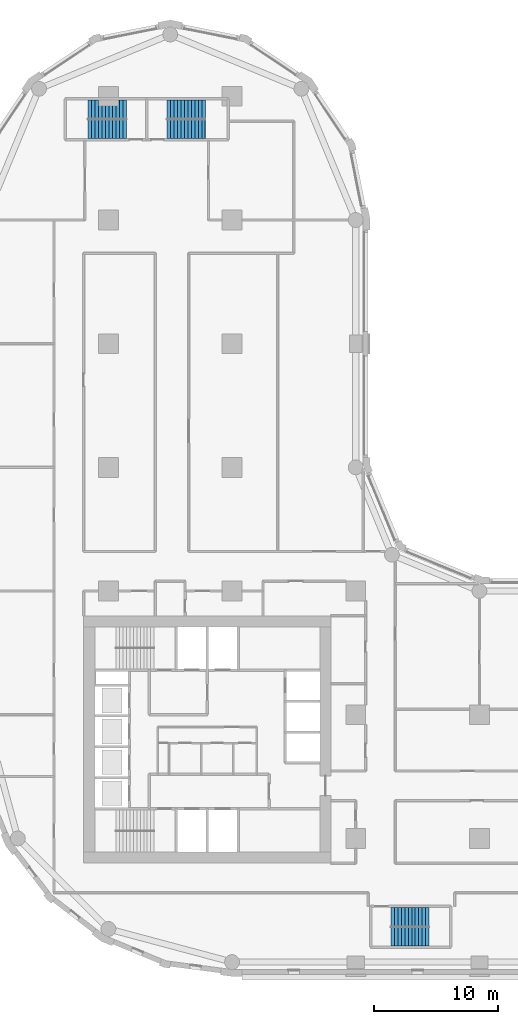
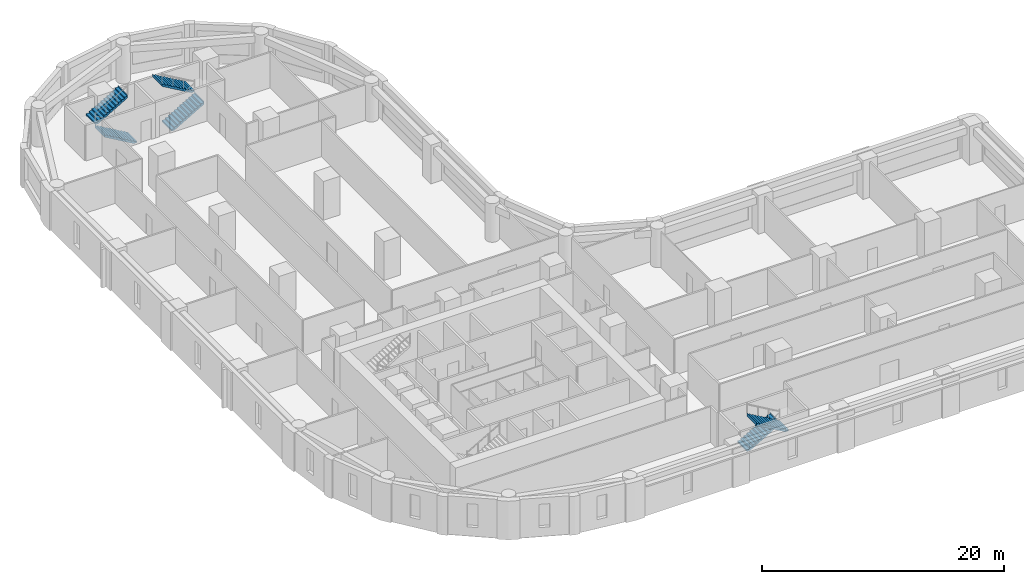
# One storey, part 8 of 10: 6 stair flights, 3 elements without a shape of their own.
"""IFC4 building model written with IfcOpenShell, lengths in metres."""

from ifc_helpers import new_model, si_unit, direction, frame, origin, place, context, subcontext, project, spatial, polyline, outline, extrude, material, type_object, element, aggregate, save


model = new_model("IFC4")

# Units and contexts
model_context = context("Model", 3, precision=1e-05, world=origin(), true_north=direction((0.0, 1.0)))
body_context = subcontext(model_context, "Body", "Model", "MODEL_VIEW")
ifc_project = project(units=[si_unit("LENGTHUNIT", "METRE"), si_unit("AREAUNIT", "SQUARE_METRE"), si_unit("VOLUMEUNIT", "CUBIC_METRE"), si_unit("PLANEANGLEUNIT", "RADIAN"), si_unit("MASSUNIT", "GRAM", prefix="KILO")], contexts=[model_context])

# Site, building, storey
site_placement = place(None, origin())
site = spatial("IfcSite", under=ifc_project, at=site_placement, CompositionType="ELEMENT")
building_placement = place(site_placement, origin())
building = spatial("IfcBuilding", under=site, at=building_placement, Name="Qaws Garden Tower", CompositionType="ELEMENT")
storey_placement = place(building_placement, frame((0.0, 0.0, 70.5)))
storey = spatial("IfcBuildingStorey", under=building, at=storey_placement, Name="L17", CompositionType="ELEMENT", Elevation=70.5)

# Stair, stair flights
ifc_material_1 = material(Name="Concrete C40", Category="concrete")
stair_type = type_object("IfcStairType", Name="Exit stair 1350", PredefinedType="HALF_TURN_STAIR", material=ifc_material_1)
placement = place(storey_placement, origin())
stair_1 = element("IfcStair", 1, at=placement, inside=storey, type_object=stair_type, Name="Stair 5", PredefinedType="HALF_TURN_STAIR")
ifc_material_2 = material(Name="Concrete C40", Category="concrete")
stair_flight_type = type_object("IfcStairFlightType", Name="Stair flight 1350", PredefinedType="STRAIGHT", material=ifc_material_2)
stair_flight_1_placement = place(storey_placement, frame((32.85009765625, 3.625, 0.0), z_axis=(0.0, 0.0, 1.0), x_axis=(1.0, 0.0, 0.0)))
stair_flight_1 = element("IfcStairFlight", 2, at=stair_flight_1_placement, type_object=stair_flight_type, Name="ST5 flight 1", NumberOfRisers=12, NumberOfTreads=11, PredefinedType="STRAIGHT", RiserHeight=0.1625, TreadLength=0.28, context=body_context, shape_type="SweptSolid", body=[
    extrude(outline(polyline([(-0.0029296875, 0.0), (-0.0029296875, 0.16259765625), (0.0, 0.16259765625), (0.280029296875, 0.16259765625), (0.280029296875, 0.324951171875), (0.56005859375, 0.324951171875), (0.56005859375, 0.487548828125), (0.840087890625, 0.487548828125), (0.840087890625, 0.64990234375), (1.1201171875, 0.64990234375), (1.1201171875, 0.8125), (1.39990234375, 0.8125), (1.39990234375, 0.97509765625), (1.679931640625, 0.97509765625), (1.679931640625, 1.137451171875), (1.9599609375, 1.137451171875), (1.9599609375, 1.300048828125), (2.239990234375, 1.300048828125), (2.239990234375, 1.46240234375), (2.52001953125, 1.46240234375), (2.52001953125, 1.625), (2.800048828125, 1.625), (2.800048828125, 1.78759765625), (3.080078125, 1.78759765625), (3.080078125, 1.949951171875), (3.0830078125, 1.949951171875), (3.0830078125, 1.6142578125), (3.080078125, 1.6142578125), (0.298583984375, 0.0), (-0.0029296875, 0.0)])), frame((0.0, 0.77490234375, 0.0), z_axis=(0.0, -1.0, 0.0), x_axis=(1.0, 0.0, 0.0)), (0.0, 0.0, 1.0), 1.550048828125),
])
stair_flight_2_placement = place(storey_placement, frame((35.929931640625, 2.074951171875, 1.949951171875), z_axis=(0.0, 0.0, 1.0), x_axis=(-1.0, 0.0, 0.0)))
stair_flight_2 = element("IfcStairFlight", 3, at=stair_flight_2_placement, type_object=stair_flight_type, Name="ST5 flight 2", NumberOfRisers=12, NumberOfTreads=11, PredefinedType="STRAIGHT", RiserHeight=0.1625, TreadLength=0.28, context=body_context, shape_type="SweptSolid", body=[
    extrude(outline(polyline([(-0.0029296875, 0.0), (-0.0029296875, 0.16259765625), (0.0, 0.16259765625), (0.280029296875, 0.16259765625), (0.280029296875, 0.324951171875), (0.56005859375, 0.324951171875), (0.56005859375, 0.487548828125), (0.840087890625, 0.487548828125), (0.840087890625, 0.64990234375), (1.1201171875, 0.64990234375), (1.1201171875, 0.8125), (1.39990234375, 0.8125), (1.39990234375, 0.97509765625), (1.679931640625, 0.97509765625), (1.679931640625, 1.137451171875), (1.9599609375, 1.137451171875), (1.9599609375, 1.300048828125), (2.239990234375, 1.300048828125), (2.239990234375, 1.46240234375), (2.52001953125, 1.46240234375), (2.52001953125, 1.625), (2.800048828125, 1.625), (2.800048828125, 1.78759765625), (3.080078125, 1.78759765625), (3.080078125, 1.949951171875), (3.0830078125, 1.949951171875), (3.0830078125, 1.6142578125), (3.080078125, 1.6142578125), (0.298583984375, 0.0), (-0.0029296875, 0.0)])), frame((0.0, 0.77490234375, 0.0), z_axis=(0.0, -1.0, 0.0), x_axis=(1.0, 0.0, 0.0)), (0.0, 0.0, 1.0), 1.550048828125),
])
aggregate(stair_1, [stair_flight_1, stair_flight_2])

stair_2 = element("IfcStair", 4, at=placement, inside=storey, type_object=stair_type, Name="Stair 6", PredefinedType="HALF_TURN_STAIR")
stair_flight_3_placement = place(storey_placement, frame((11.449951171875, 67.375, 0.0), z_axis=(0.0, 0.0, 1.0), x_axis=(-1.0, 0.0, 0.0)))
stair_flight_3 = element("IfcStairFlight", 5, at=stair_flight_3_placement, type_object=stair_flight_type, Name="ST6 flight 1", NumberOfRisers=12, NumberOfTreads=11, PredefinedType="STRAIGHT", RiserHeight=0.1625, TreadLength=0.28, context=body_context, shape_type="SweptSolid", body=[
    extrude(outline(polyline([(-0.0029296875, 0.0), (-0.0029296875, 0.16259765625), (0.0, 0.16259765625), (0.280029296875, 0.16259765625), (0.280029296875, 0.324951171875), (0.56005859375, 0.324951171875), (0.56005859375, 0.487548828125), (0.840087890625, 0.487548828125), (0.840087890625, 0.64990234375), (1.1201171875, 0.64990234375), (1.1201171875, 0.8125), (1.39990234375, 0.8125), (1.39990234375, 0.97509765625), (1.679931640625, 0.97509765625), (1.679931640625, 1.137451171875), (1.9599609375, 1.137451171875), (1.9599609375, 1.300048828125), (2.239990234375, 1.300048828125), (2.239990234375, 1.46240234375), (2.52001953125, 1.46240234375), (2.52001953125, 1.625), (2.800048828125, 1.625), (2.800048828125, 1.78759765625), (3.080078125, 1.78759765625), (3.080078125, 1.949951171875), (3.0830078125, 1.949951171875), (3.0830078125, 1.6142578125), (3.080078125, 1.6142578125), (0.298583984375, 0.0), (-0.0029296875, 0.0)])), frame((0.0, 0.77490234375, 0.0), z_axis=(0.0, -1.0, 0.0), x_axis=(1.0, 0.0, 0.0)), (0.0, 0.0, 1.0), 1.550048828125),
])
stair_flight_4_placement = place(storey_placement, frame((8.3701171875, 68.925048828125, 1.949951171875), z_axis=(0.0, 0.0, 1.0), x_axis=(1.0, 0.0, 0.0)))
stair_flight_4 = element("IfcStairFlight", 6, at=stair_flight_4_placement, type_object=stair_flight_type, Name="ST6 flight 2", NumberOfRisers=12, NumberOfTreads=11, PredefinedType="STRAIGHT", RiserHeight=0.1625, TreadLength=0.28, context=body_context, shape_type="SweptSolid", body=[
    extrude(outline(polyline([(-0.0029296875, 0.0), (-0.0029296875, 0.16259765625), (0.0, 0.16259765625), (0.280029296875, 0.16259765625), (0.280029296875, 0.324951171875), (0.56005859375, 0.324951171875), (0.56005859375, 0.487548828125), (0.840087890625, 0.487548828125), (0.840087890625, 0.64990234375), (1.1201171875, 0.64990234375), (1.1201171875, 0.8125), (1.39990234375, 0.8125), (1.39990234375, 0.97509765625), (1.679931640625, 0.97509765625), (1.679931640625, 1.137451171875), (1.9599609375, 1.137451171875), (1.9599609375, 1.300048828125), (2.239990234375, 1.300048828125), (2.239990234375, 1.46240234375), (2.52001953125, 1.46240234375), (2.52001953125, 1.625), (2.800048828125, 1.625), (2.800048828125, 1.78759765625), (3.080078125, 1.78759765625), (3.080078125, 1.949951171875), (3.0830078125, 1.949951171875), (3.0830078125, 1.6142578125), (3.080078125, 1.6142578125), (0.298583984375, 0.0), (-0.0029296875, 0.0)])), frame((0.0, 0.77490234375, 0.0), z_axis=(0.0, -1.0, 0.0), x_axis=(1.0, 0.0, 0.0)), (0.0, 0.0, 1.0), 1.550048828125),
])
aggregate(stair_2, [stair_flight_3, stair_flight_4])

stair_3 = element("IfcStair", 7, at=placement, inside=storey, type_object=stair_type, Name="Stair 7", PredefinedType="HALF_TURN_STAIR")
stair_flight_5_placement = place(storey_placement, frame((14.75, 67.375, 0.0), z_axis=(0.0, 0.0, 1.0), x_axis=(1.0, 0.0, 0.0)))
stair_flight_5 = element("IfcStairFlight", 8, at=stair_flight_5_placement, type_object=stair_flight_type, Name="ST7 flight 1", NumberOfRisers=12, NumberOfTreads=11, PredefinedType="STRAIGHT", RiserHeight=0.1625, TreadLength=0.28, context=body_context, shape_type="SweptSolid", body=[
    extrude(outline(polyline([(-0.0029296875, 0.0), (-0.0029296875, 0.16259765625), (0.0, 0.16259765625), (0.280029296875, 0.16259765625), (0.280029296875, 0.324951171875), (0.56005859375, 0.324951171875), (0.56005859375, 0.487548828125), (0.840087890625, 0.487548828125), (0.840087890625, 0.64990234375), (1.1201171875, 0.64990234375), (1.1201171875, 0.8125), (1.39990234375, 0.8125), (1.39990234375, 0.97509765625), (1.679931640625, 0.97509765625), (1.679931640625, 1.137451171875), (1.9599609375, 1.137451171875), (1.9599609375, 1.300048828125), (2.239990234375, 1.300048828125), (2.239990234375, 1.46240234375), (2.52001953125, 1.46240234375), (2.52001953125, 1.625), (2.800048828125, 1.625), (2.800048828125, 1.78759765625), (3.080078125, 1.78759765625), (3.080078125, 1.949951171875), (3.0830078125, 1.949951171875), (3.0830078125, 1.6142578125), (3.080078125, 1.6142578125), (0.298583984375, 0.0), (-0.0029296875, 0.0)])), frame((0.0, 0.77490234375, 0.0), z_axis=(0.0, -1.0, 0.0), x_axis=(1.0, 0.0, 0.0)), (0.0, 0.0, 1.0), 1.550048828125),
])
stair_flight_6_placement = place(storey_placement, frame((17.830078125, 68.925048828125, 1.949951171875), z_axis=(0.0, 0.0, 1.0), x_axis=(-1.0, 0.0, 0.0)))
stair_flight_6 = element("IfcStairFlight", 9, at=stair_flight_6_placement, type_object=stair_flight_type, Name="ST7 flight 2", NumberOfRisers=12, NumberOfTreads=11, PredefinedType="STRAIGHT", RiserHeight=0.1625, TreadLength=0.28, context=body_context, shape_type="SweptSolid", body=[
    extrude(outline(polyline([(-0.0029296875, 0.0), (-0.0029296875, 0.16259765625), (0.0, 0.16259765625), (0.280029296875, 0.16259765625), (0.280029296875, 0.324951171875), (0.56005859375, 0.324951171875), (0.56005859375, 0.487548828125), (0.840087890625, 0.487548828125), (0.840087890625, 0.64990234375), (1.1201171875, 0.64990234375), (1.1201171875, 0.8125), (1.39990234375, 0.8125), (1.39990234375, 0.97509765625), (1.679931640625, 0.97509765625), (1.679931640625, 1.137451171875), (1.9599609375, 1.137451171875), (1.9599609375, 1.300048828125), (2.239990234375, 1.300048828125), (2.239990234375, 1.46240234375), (2.52001953125, 1.46240234375), (2.52001953125, 1.625), (2.800048828125, 1.625), (2.800048828125, 1.78759765625), (3.080078125, 1.78759765625), (3.080078125, 1.949951171875), (3.0830078125, 1.949951171875), (3.0830078125, 1.6142578125), (3.080078125, 1.6142578125), (0.298583984375, 0.0), (-0.0029296875, 0.0)])), frame((0.0, 0.77490234375, 0.0), z_axis=(0.0, -1.0, 0.0), x_axis=(1.0, 0.0, 0.0)), (0.0, 0.0, 1.0), 1.550048828125),
])
aggregate(stair_3, [stair_flight_5, stair_flight_6])

save(model, "model.ifc")
